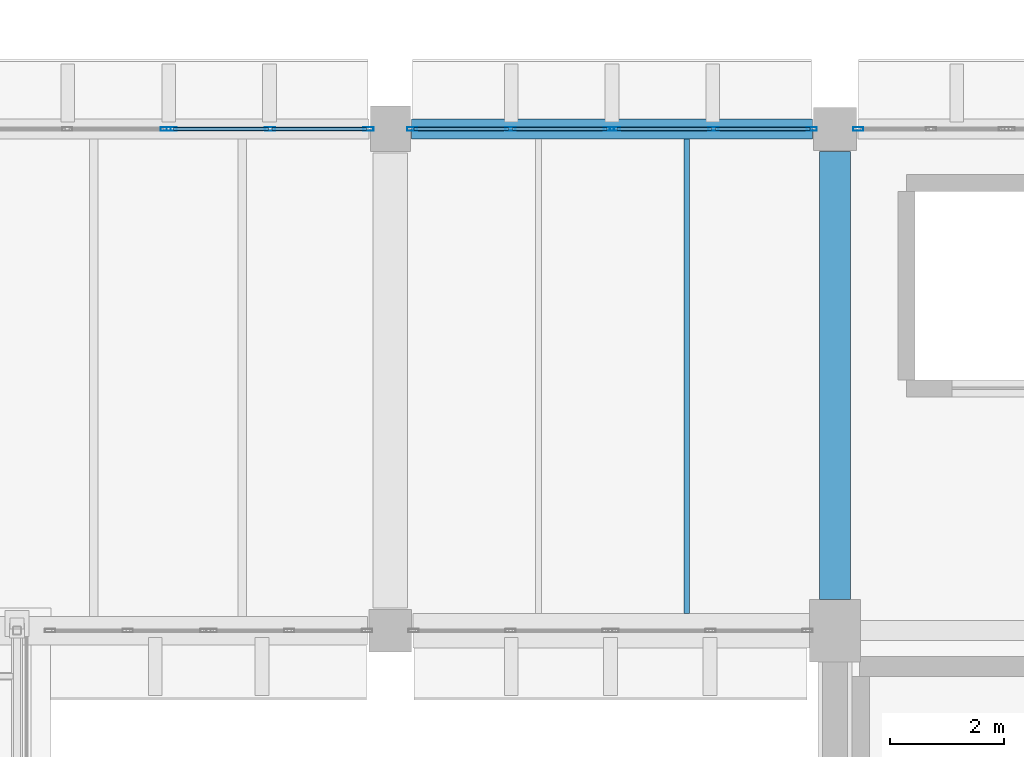
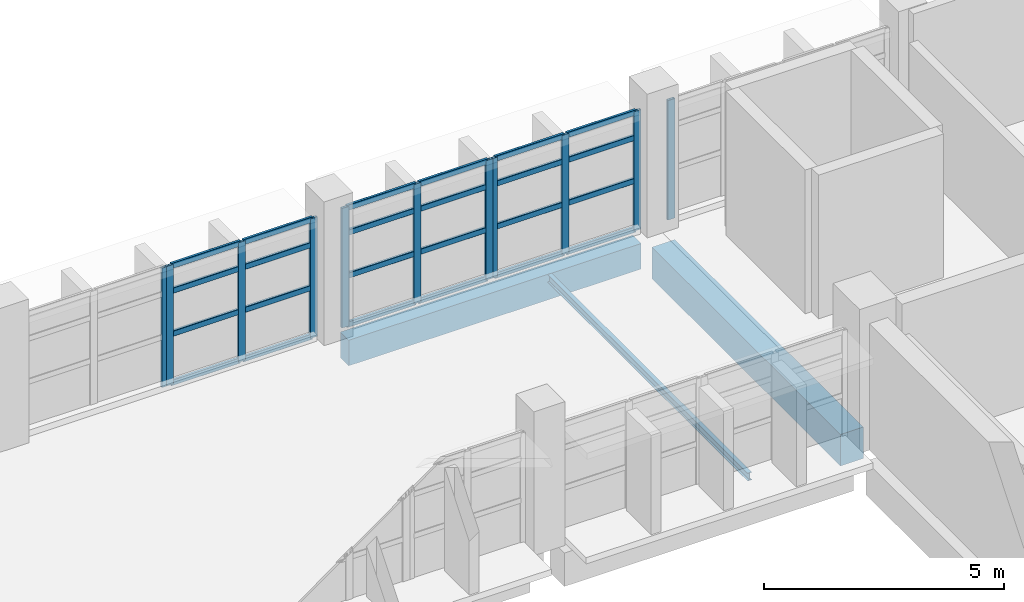
# One storey, part 32 of 80: 35 members, 3 beams, 5 elements without a shape of their own.
"""IFC4 building model written with IfcOpenShell, lengths in metres."""

from ifc_helpers import new_model, si_unit, direction, frame, origin, origin_2d, place, context, subcontext, project, spatial, rectangle, hollow_rectangle, i_section, extrude, material, material_profile, profile_set, type_object, element, aggregate, save


model = new_model("IFC4")

# Units and contexts
model_context = context("Model", 3, precision=1e-05, world=origin(), true_north=direction((0.0, 1.0)))
body_context = subcontext(model_context, "Body", "Model", "MODEL_VIEW")
ifc_project = project(units=[si_unit("LENGTHUNIT", "METRE"), si_unit("AREAUNIT", "SQUARE_METRE"), si_unit("VOLUMEUNIT", "CUBIC_METRE"), si_unit("PLANEANGLEUNIT", "RADIAN"), si_unit("MASSUNIT", "GRAM", prefix="KILO")], contexts=[model_context])

# Site, building, storey
site_placement = place(None, origin())
site = spatial("IfcSite", under=ifc_project, at=site_placement, CompositionType="ELEMENT")
building_placement = place(site_placement, origin())
building = spatial("IfcBuilding", under=site, at=building_placement, Name="Varnakota Cinema and Media Centre", CompositionType="ELEMENT")
storey_placement = place(building_placement, frame((0.0, 0.0, 4.5)))
storey = spatial("IfcBuildingStorey", under=building, at=storey_placement, Name="L01", CompositionType="ELEMENT", Elevation=4.5)

# Beams
ifc_material_1 = material(Name="Concrete M35", Category="concrete")
ifc_material_profile_1 = material_profile(ifc_material_1, rectangle(XDim=0.550048828125, YDim=0.800048828125, at=origin_2d()), Name="RCB 550x800")
ifc_profile_set_1 = profile_set([ifc_material_profile_1], Name="Concrete M35")
beam_type_1 = type_object("IfcBeamType", Name="BM-RC-550x800", PredefinedType="BEAM", material=ifc_profile_set_1)
beam_1_placement = place(storey_placement, frame((75.0, 35.75, -0.64990234375), z_axis=(0.0, 1.0, 0.0), x_axis=(-1.0, 0.0, 0.0)))
element("IfcBeam", 1, at=beam_1_placement, inside=storey, type_object=beam_type_1, Name="L01 girder K/5-6", PredefinedType="BEAM", context=body_context, shape_type="SweptSolid", body=[
    extrude(rectangle(XDim=0.550048828125, YDim=0.800048828125, at=origin_2d()), origin(), (0.0, 0.0, 1.0), 7.85009765625),
])
ifc_material_2 = material(Name="Concrete M40", Category="concrete")
ifc_material_profile_2 = material_profile(ifc_material_2, rectangle(XDim=0.35009765625, YDim=0.64990234375, at=origin_2d()), Name="RCB 350x650")
ifc_profile_set_2 = profile_set([ifc_material_profile_2], Name="Concrete M40")
beam_type_2 = type_object("IfcBeamType", Name="BM-SP-350x650", PredefinedType="SPANDREL", material=ifc_profile_set_2)
beam_2_placement = place(storey_placement, frame((67.574951171875, 44.0, -0.574951171875), z_axis=(1.0, 0.0, 0.0), x_axis=(0.0, 1.0, 0.0)))
element("IfcBeam", 2, at=beam_2_placement, inside=storey, type_object=beam_type_2, Name="L01 girder J-K/6", PredefinedType="SPANDREL", context=body_context, shape_type="SweptSolid", body=[
    extrude(rectangle(XDim=0.35009765625, YDim=0.64990234375, at=origin_2d()), origin(), (0.0, 0.0, 1.0), 7.025146484375),
])
ifc_material_3 = material(Name="Structural steel Grade 350 (E350)", Category="steel")
ifc_material_profile_3 = material_profile(ifc_material_3, i_section(OverallWidth=0.10009765625, OverallDepth=0.199951171875, WebThickness=0.005615234375, FlangeThickness=0.0107421875, FilletRadius=0.010986328125, at=origin_2d()), Name="ISMB 200")
ifc_profile_set_3 = profile_set([ifc_material_profile_3], Name="Structural steel Grade 350 (E350)")
beam_type_3 = type_object("IfcBeamType", Name="BM-ST-ISMB200", PredefinedType="JOIST", material=ifc_profile_set_3)
beam_3_placement = place(storey_placement, frame((72.39990234375, 35.5, -0.35009765625), z_axis=(0.0, 1.0, 0.0), x_axis=(-1.0, 0.0, 0.0)))
element("IfcBeam", 3, at=beam_3_placement, inside=storey, type_object=beam_type_3, Name="L01 steel joist J-K/5-6 #2", PredefinedType="JOIST", context=body_context, shape_type="SweptSolid", body=[
    extrude(i_section(OverallWidth=0.10009765625, OverallDepth=0.199951171875, WebThickness=0.005615234375, FlangeThickness=0.0107421875, FilletRadius=0.010986328125, at=origin_2d()), origin(), (0.0, 0.0, 1.0), 8.324951171875),
])

# Curtain wall, member
ifc_material_4 = material(Name="Thermally broken anodised aluminium AW-6063", Category="aluminium")
curtain_wall_type_1 = type_object("IfcCurtainWallType", Name="CW-STD-262x304", PredefinedType="USERDEFINED", material=ifc_material_4)
curtain_wall_1_placement = place(storey_placement, origin())
curtain_wall_1 = element("IfcCurtainWall", 4, at=curtain_wall_1_placement, inside=storey, type_object=curtain_wall_type_1, Name="L01 curtain wall CW-L01-V1-N-01-1", ObjectType="UNITISED CURTAIN WALL", PredefinedType="USERDEFINED")
ifc_material_5 = material(Name="Thermally broken anodised aluminium AW-6063", Category="aluminium")
ifc_material_profile_4 = material_profile(ifc_material_5, hollow_rectangle(XDim=0.06494140625, YDim=0.179931640625, WallThickness=0.00390625, InnerFilletRadius=0.00390625, OuterFilletRadius=0.008056640625, at=origin_2d()), Name="AL-MULLION 180x65x4")
ifc_profile_set_4 = profile_set([ifc_material_profile_4], Name="Thermally broken anodised aluminium AW-6063")
member_type_1 = type_object("IfcMemberType", Name="CWM-AL-180", PredefinedType="MULLION", material=ifc_profile_set_4)
member_1_placement = place(storey_placement, frame((75.407470703125, 44.0, 0.0), z_axis=(0.0, 0.0, 1.0), x_axis=(0.0, 1.0, 0.0)))
member_1 = element("IfcMember", 5, at=member_1_placement, type_object=member_type_1, Name="CW17 mullion 1", PredefinedType="MULLION", context=body_context, shape_type="SweptSolid", body=[
    extrude(hollow_rectangle(XDim=0.06494140625, YDim=0.179931640625, WallThickness=0.00390625, InnerFilletRadius=0.00390625, OuterFilletRadius=0.008056640625, at=origin_2d()), origin(), (0.0, 0.0, 1.0), 3.034912109375),
])
aggregate(curtain_wall_1, [member_1])

ifc_material_6 = material(Name="Thermally broken anodised aluminium AW-6063", Category="aluminium")
curtain_wall_type_2 = type_object("IfcCurtainWallType", Name="CW-STD-352x304", PredefinedType="USERDEFINED", material=ifc_material_6)
curtain_wall_2_placement = place(storey_placement, origin())
curtain_wall_2 = element("IfcCurtainWall", 6, at=curtain_wall_2_placement, inside=storey, type_object=curtain_wall_type_2, Name="L01 curtain wall CW-L01-LINK-N-03-1", ObjectType="UNITISED CURTAIN WALL", PredefinedType="USERDEFINED")
member_2_placement = place(storey_placement, frame((63.260009765625, 44.0, 0.0), z_axis=(0.0, 0.0, 1.0), x_axis=(0.0, 1.0, 0.0)))
member_2 = element("IfcMember", 7, at=member_2_placement, type_object=member_type_1, Name="CW19 mullion 3", PredefinedType="MULLION", context=body_context, shape_type="SweptSolid", body=[
    extrude(hollow_rectangle(XDim=0.06494140625, YDim=0.179931640625, WallThickness=0.00390625, InnerFilletRadius=0.00390625, OuterFilletRadius=0.008056640625, at=origin_2d()), origin(), (0.0, 0.0, 1.0), 3.034912109375),
])
aggregate(curtain_wall_2, [member_2])

# Curtain wall, members
curtain_wall_3_placement = place(storey_placement, origin())
curtain_wall_3 = element("IfcCurtainWall", 8, at=curtain_wall_3_placement, inside=storey, type_object=curtain_wall_type_2, Name="L01 curtain wall CW-L01-LINK-N-03-2", ObjectType="UNITISED CURTAIN WALL", PredefinedType="USERDEFINED")
member_3_placement = place(storey_placement, frame((63.364990234375, 44.0, 0.0), z_axis=(0.0, 0.0, 1.0), x_axis=(0.0, 1.0, 0.0)))
member_3 = element("IfcMember", 9, at=member_3_placement, type_object=member_type_1, Name="CW19 mullion 1", PredefinedType="MULLION", context=body_context, shape_type="SweptSolid", body=[
    extrude(hollow_rectangle(XDim=0.06494140625, YDim=0.179931640625, WallThickness=0.00390625, InnerFilletRadius=0.00390625, OuterFilletRadius=0.008056640625, at=origin_2d()), origin(), (0.0, 0.0, 1.0), 3.034912109375),
])
member_4_placement = place(storey_placement, frame((65.09130859375, 44.0, 0.0), z_axis=(0.0, 0.0, 1.0), x_axis=(0.0, 1.0, 0.0)))
member_4 = element("IfcMember", 10, at=member_4_placement, type_object=member_type_1, Name="CW19 mullion 2", PredefinedType="MULLION", context=body_context, shape_type="SweptSolid", body=[
    extrude(hollow_rectangle(XDim=0.06494140625, YDim=0.179931640625, WallThickness=0.00390625, InnerFilletRadius=0.00390625, OuterFilletRadius=0.008056640625, at=origin_2d()), origin(), (0.0, 0.0, 1.0), 3.034912109375),
])
member_5_placement = place(storey_placement, frame((66.8173828125, 44.0, 0.0), z_axis=(0.0, 0.0, 1.0), x_axis=(0.0, 1.0, 0.0)))
member_5 = element("IfcMember", 11, at=member_5_placement, type_object=member_type_1, Name="CW19 mullion 3", PredefinedType="MULLION", context=body_context, shape_type="SweptSolid", body=[
    extrude(hollow_rectangle(XDim=0.06494140625, YDim=0.179931640625, WallThickness=0.00390625, InnerFilletRadius=0.00390625, OuterFilletRadius=0.008056640625, at=origin_2d()), origin(), (0.0, 0.0, 1.0), 3.034912109375),
])

curtain_wall_4_placement = place(storey_placement, origin())
curtain_wall_4 = element("IfcCurtainWall", 12, at=curtain_wall_4_placement, inside=storey, type_object=curtain_wall_type_2, Name="L01 curtain wall CW-L01-LINK-N-04-1", ObjectType="UNITISED CURTAIN WALL", PredefinedType="USERDEFINED")
member_6_placement = place(storey_placement, frame((67.58251953125, 44.0, 0.0), z_axis=(0.0, 0.0, 1.0), x_axis=(0.0, 1.0, 0.0)))
member_6 = element("IfcMember", 13, at=member_6_placement, type_object=member_type_1, Name="CW19 mullion 1", PredefinedType="MULLION", context=body_context, shape_type="SweptSolid", body=[
    extrude(hollow_rectangle(XDim=0.06494140625, YDim=0.179931640625, WallThickness=0.00390625, InnerFilletRadius=0.00390625, OuterFilletRadius=0.008056640625, at=origin_2d()), origin(), (0.0, 0.0, 1.0), 3.034912109375),
])
member_7_placement = place(storey_placement, frame((69.308837890625, 44.0, 0.0), z_axis=(0.0, 0.0, 1.0), x_axis=(0.0, 1.0, 0.0)))
member_7 = element("IfcMember", 14, at=member_7_placement, type_object=member_type_1, Name="CW19 mullion 2", PredefinedType="MULLION", context=body_context, shape_type="SweptSolid", body=[
    extrude(hollow_rectangle(XDim=0.06494140625, YDim=0.179931640625, WallThickness=0.00390625, InnerFilletRadius=0.00390625, OuterFilletRadius=0.008056640625, at=origin_2d()), origin(), (0.0, 0.0, 1.0), 3.034912109375),
])
member_8_placement = place(storey_placement, frame((71.034912109375, 44.0, 0.0), z_axis=(0.0, 0.0, 1.0), x_axis=(0.0, 1.0, 0.0)))
member_8 = element("IfcMember", 15, at=member_8_placement, type_object=member_type_1, Name="CW19 mullion 3", PredefinedType="MULLION", context=body_context, shape_type="SweptSolid", body=[
    extrude(hollow_rectangle(XDim=0.06494140625, YDim=0.179931640625, WallThickness=0.00390625, InnerFilletRadius=0.00390625, OuterFilletRadius=0.008056640625, at=origin_2d()), origin(), (0.0, 0.0, 1.0), 3.034912109375),
])

curtain_wall_5_placement = place(storey_placement, origin())
curtain_wall_5 = element("IfcCurtainWall", 16, at=curtain_wall_5_placement, inside=storey, type_object=curtain_wall_type_2, Name="L01 curtain wall CW-L01-LINK-N-04-2", ObjectType="UNITISED CURTAIN WALL", PredefinedType="USERDEFINED")
member_9_placement = place(storey_placement, frame((71.139892578125, 44.0, 0.0), z_axis=(0.0, 0.0, 1.0), x_axis=(0.0, 1.0, 0.0)))
member_9 = element("IfcMember", 17, at=member_9_placement, type_object=member_type_1, Name="CW19 mullion 1", PredefinedType="MULLION", context=body_context, shape_type="SweptSolid", body=[
    extrude(hollow_rectangle(XDim=0.06494140625, YDim=0.179931640625, WallThickness=0.00390625, InnerFilletRadius=0.00390625, OuterFilletRadius=0.008056640625, at=origin_2d()), origin(), (0.0, 0.0, 1.0), 3.034912109375),
])
member_10_placement = place(storey_placement, frame((72.8662109375, 44.0, 0.0), z_axis=(0.0, 0.0, 1.0), x_axis=(0.0, 1.0, 0.0)))
member_10 = element("IfcMember", 18, at=member_10_placement, type_object=member_type_1, Name="CW19 mullion 2", PredefinedType="MULLION", context=body_context, shape_type="SweptSolid", body=[
    extrude(hollow_rectangle(XDim=0.06494140625, YDim=0.179931640625, WallThickness=0.00390625, InnerFilletRadius=0.00390625, OuterFilletRadius=0.008056640625, at=origin_2d()), origin(), (0.0, 0.0, 1.0), 3.034912109375),
])
member_11_placement = place(storey_placement, frame((74.592529296875, 44.0, 0.0), z_axis=(0.0, 0.0, 1.0), x_axis=(0.0, 1.0, 0.0)))
member_11 = element("IfcMember", 19, at=member_11_placement, type_object=member_type_1, Name="CW19 mullion 3", PredefinedType="MULLION", context=body_context, shape_type="SweptSolid", body=[
    extrude(hollow_rectangle(XDim=0.06494140625, YDim=0.179931640625, WallThickness=0.00390625, InnerFilletRadius=0.00390625, OuterFilletRadius=0.008056640625, at=origin_2d()), origin(), (0.0, 0.0, 1.0), 3.034912109375),
])

# Member
ifc_material_7 = material(Name="Thermally broken anodised aluminium AW-6063", Category="aluminium")
ifc_material_profile_5 = material_profile(ifc_material_7, hollow_rectangle(XDim=0.06494140625, YDim=0.139892578125, WallThickness=0.00390625, InnerFilletRadius=0.00390625, OuterFilletRadius=0.008056640625, at=origin_2d()), Name="AL-TRANSOM 140x65x4")
ifc_profile_set_5 = profile_set([ifc_material_profile_5], Name="Thermally broken anodised aluminium AW-6063")
member_type_2 = type_object("IfcMemberType", Name="CWT-AL-140", PredefinedType="USERDEFINED", material=ifc_profile_set_5)
member_12_placement = place(storey_placement, frame((63.3974609375, 44.0, 0.032470703125), z_axis=(1.0, 0.0, 0.0), x_axis=(0.0, 1.0, 0.0)))
member_12 = element("IfcMember", 20, at=member_12_placement, type_object=member_type_2, Name="CW19 transom 1.1", ObjectType="TRANSOM", PredefinedType="USERDEFINED", context=body_context, shape_type="SweptSolid", body=[
    extrude(hollow_rectangle(XDim=0.06494140625, YDim=0.139892578125, WallThickness=0.00390625, InnerFilletRadius=0.00390625, OuterFilletRadius=0.008056640625, at=origin_2d()), origin(), (0.0, 0.0, 1.0), 1.661376953125),
])

member_13_placement = place(storey_placement, frame((63.3974609375, 44.0, 1.274658203125), z_axis=(1.0, 0.0, 0.0), x_axis=(0.0, 1.0, 0.0)))
member_13 = element("IfcMember", 21, at=member_13_placement, type_object=member_type_2, Name="CW19 transom 1.2", ObjectType="TRANSOM", PredefinedType="USERDEFINED", context=body_context, shape_type="SweptSolid", body=[
    extrude(hollow_rectangle(XDim=0.06494140625, YDim=0.139892578125, WallThickness=0.00390625, InnerFilletRadius=0.00390625, OuterFilletRadius=0.008056640625, at=origin_2d()), origin(), (0.0, 0.0, 1.0), 1.661376953125),
])

member_14_placement = place(storey_placement, frame((63.3974609375, 44.0, 2.3671875), z_axis=(1.0, 0.0, 0.0), x_axis=(0.0, 1.0, 0.0)))
member_14 = element("IfcMember", 22, at=member_14_placement, type_object=member_type_2, Name="CW19 transom 1.3", ObjectType="TRANSOM", PredefinedType="USERDEFINED", context=body_context, shape_type="SweptSolid", body=[
    extrude(hollow_rectangle(XDim=0.06494140625, YDim=0.139892578125, WallThickness=0.00390625, InnerFilletRadius=0.00390625, OuterFilletRadius=0.008056640625, at=origin_2d()), origin(), (0.0, 0.0, 1.0), 1.661376953125),
])

member_15_placement = place(storey_placement, frame((63.3974609375, 44.0, 3.00244140625), z_axis=(1.0, 0.0, 0.0), x_axis=(0.0, 1.0, 0.0)))
member_15 = element("IfcMember", 23, at=member_15_placement, type_object=member_type_2, Name="CW19 transom 1.4", ObjectType="TRANSOM", PredefinedType="USERDEFINED", context=body_context, shape_type="SweptSolid", body=[
    extrude(hollow_rectangle(XDim=0.06494140625, YDim=0.139892578125, WallThickness=0.00390625, InnerFilletRadius=0.00390625, OuterFilletRadius=0.008056640625, at=origin_2d()), origin(), (0.0, 0.0, 1.0), 1.661376953125),
])

member_16_placement = place(storey_placement, frame((65.123779296875, 44.0, 0.032470703125), z_axis=(1.0, 0.0, 0.0), x_axis=(0.0, 1.0, 0.0)))
member_16 = element("IfcMember", 24, at=member_16_placement, type_object=member_type_2, Name="CW19 transom 2.1", ObjectType="TRANSOM", PredefinedType="USERDEFINED", context=body_context, shape_type="SweptSolid", body=[
    extrude(hollow_rectangle(XDim=0.06494140625, YDim=0.139892578125, WallThickness=0.00390625, InnerFilletRadius=0.00390625, OuterFilletRadius=0.008056640625, at=origin_2d()), origin(), (0.0, 0.0, 1.0), 1.6611328125),
])

member_17_placement = place(storey_placement, frame((65.123779296875, 44.0, 1.274658203125), z_axis=(1.0, 0.0, 0.0), x_axis=(0.0, 1.0, 0.0)))
member_17 = element("IfcMember", 25, at=member_17_placement, type_object=member_type_2, Name="CW19 transom 2.2", ObjectType="TRANSOM", PredefinedType="USERDEFINED", context=body_context, shape_type="SweptSolid", body=[
    extrude(hollow_rectangle(XDim=0.06494140625, YDim=0.139892578125, WallThickness=0.00390625, InnerFilletRadius=0.00390625, OuterFilletRadius=0.008056640625, at=origin_2d()), origin(), (0.0, 0.0, 1.0), 1.6611328125),
])

member_18_placement = place(storey_placement, frame((65.123779296875, 44.0, 2.3671875), z_axis=(1.0, 0.0, 0.0), x_axis=(0.0, 1.0, 0.0)))
member_18 = element("IfcMember", 26, at=member_18_placement, type_object=member_type_2, Name="CW19 transom 2.3", ObjectType="TRANSOM", PredefinedType="USERDEFINED", context=body_context, shape_type="SweptSolid", body=[
    extrude(hollow_rectangle(XDim=0.06494140625, YDim=0.139892578125, WallThickness=0.00390625, InnerFilletRadius=0.00390625, OuterFilletRadius=0.008056640625, at=origin_2d()), origin(), (0.0, 0.0, 1.0), 1.6611328125),
])

member_19_placement = place(storey_placement, frame((65.123779296875, 44.0, 3.00244140625), z_axis=(1.0, 0.0, 0.0), x_axis=(0.0, 1.0, 0.0)))
member_19 = element("IfcMember", 27, at=member_19_placement, type_object=member_type_2, Name="CW19 transom 2.4", ObjectType="TRANSOM", PredefinedType="USERDEFINED", context=body_context, shape_type="SweptSolid", body=[
    extrude(hollow_rectangle(XDim=0.06494140625, YDim=0.139892578125, WallThickness=0.00390625, InnerFilletRadius=0.00390625, OuterFilletRadius=0.008056640625, at=origin_2d()), origin(), (0.0, 0.0, 1.0), 1.6611328125),
])

aggregate(curtain_wall_3, [member_3, member_4, member_5, member_12, member_13, member_14, member_15, member_16, member_17, member_18, member_19])

member_20_placement = place(storey_placement, frame((67.614990234375, 44.0, 0.032470703125), z_axis=(1.0, 0.0, 0.0), x_axis=(0.0, 1.0, 0.0)))
member_20 = element("IfcMember", 28, at=member_20_placement, type_object=member_type_2, Name="CW19 transom 1.1", ObjectType="TRANSOM", PredefinedType="USERDEFINED", context=body_context, shape_type="SweptSolid", body=[
    extrude(hollow_rectangle(XDim=0.06494140625, YDim=0.139892578125, WallThickness=0.00390625, InnerFilletRadius=0.00390625, OuterFilletRadius=0.008056640625, at=origin_2d()), origin(), (0.0, 0.0, 1.0), 1.661376953125),
])

member_21_placement = place(storey_placement, frame((67.614990234375, 44.0, 1.274658203125), z_axis=(1.0, 0.0, 0.0), x_axis=(0.0, 1.0, 0.0)))
member_21 = element("IfcMember", 29, at=member_21_placement, type_object=member_type_2, Name="CW19 transom 1.2", ObjectType="TRANSOM", PredefinedType="USERDEFINED", context=body_context, shape_type="SweptSolid", body=[
    extrude(hollow_rectangle(XDim=0.06494140625, YDim=0.139892578125, WallThickness=0.00390625, InnerFilletRadius=0.00390625, OuterFilletRadius=0.008056640625, at=origin_2d()), origin(), (0.0, 0.0, 1.0), 1.661376953125),
])

member_22_placement = place(storey_placement, frame((67.614990234375, 44.0, 2.3671875), z_axis=(1.0, 0.0, 0.0), x_axis=(0.0, 1.0, 0.0)))
member_22 = element("IfcMember", 30, at=member_22_placement, type_object=member_type_2, Name="CW19 transom 1.3", ObjectType="TRANSOM", PredefinedType="USERDEFINED", context=body_context, shape_type="SweptSolid", body=[
    extrude(hollow_rectangle(XDim=0.06494140625, YDim=0.139892578125, WallThickness=0.00390625, InnerFilletRadius=0.00390625, OuterFilletRadius=0.008056640625, at=origin_2d()), origin(), (0.0, 0.0, 1.0), 1.661376953125),
])

member_23_placement = place(storey_placement, frame((67.614990234375, 44.0, 3.00244140625), z_axis=(1.0, 0.0, 0.0), x_axis=(0.0, 1.0, 0.0)))
member_23 = element("IfcMember", 31, at=member_23_placement, type_object=member_type_2, Name="CW19 transom 1.4", ObjectType="TRANSOM", PredefinedType="USERDEFINED", context=body_context, shape_type="SweptSolid", body=[
    extrude(hollow_rectangle(XDim=0.06494140625, YDim=0.139892578125, WallThickness=0.00390625, InnerFilletRadius=0.00390625, OuterFilletRadius=0.008056640625, at=origin_2d()), origin(), (0.0, 0.0, 1.0), 1.661376953125),
])

member_24_placement = place(storey_placement, frame((69.34130859375, 44.0, 0.032470703125), z_axis=(1.0, 0.0, 0.0), x_axis=(0.0, 1.0, 0.0)))
member_24 = element("IfcMember", 32, at=member_24_placement, type_object=member_type_2, Name="CW19 transom 2.1", ObjectType="TRANSOM", PredefinedType="USERDEFINED", context=body_context, shape_type="SweptSolid", body=[
    extrude(hollow_rectangle(XDim=0.06494140625, YDim=0.139892578125, WallThickness=0.00390625, InnerFilletRadius=0.00390625, OuterFilletRadius=0.008056640625, at=origin_2d()), origin(), (0.0, 0.0, 1.0), 1.6611328125),
])

member_25_placement = place(storey_placement, frame((69.34130859375, 44.0, 1.274658203125), z_axis=(1.0, 0.0, 0.0), x_axis=(0.0, 1.0, 0.0)))
member_25 = element("IfcMember", 33, at=member_25_placement, type_object=member_type_2, Name="CW19 transom 2.2", ObjectType="TRANSOM", PredefinedType="USERDEFINED", context=body_context, shape_type="SweptSolid", body=[
    extrude(hollow_rectangle(XDim=0.06494140625, YDim=0.139892578125, WallThickness=0.00390625, InnerFilletRadius=0.00390625, OuterFilletRadius=0.008056640625, at=origin_2d()), origin(), (0.0, 0.0, 1.0), 1.6611328125),
])

member_26_placement = place(storey_placement, frame((69.34130859375, 44.0, 2.3671875), z_axis=(1.0, 0.0, 0.0), x_axis=(0.0, 1.0, 0.0)))
member_26 = element("IfcMember", 34, at=member_26_placement, type_object=member_type_2, Name="CW19 transom 2.3", ObjectType="TRANSOM", PredefinedType="USERDEFINED", context=body_context, shape_type="SweptSolid", body=[
    extrude(hollow_rectangle(XDim=0.06494140625, YDim=0.139892578125, WallThickness=0.00390625, InnerFilletRadius=0.00390625, OuterFilletRadius=0.008056640625, at=origin_2d()), origin(), (0.0, 0.0, 1.0), 1.6611328125),
])

member_27_placement = place(storey_placement, frame((69.34130859375, 44.0, 3.00244140625), z_axis=(1.0, 0.0, 0.0), x_axis=(0.0, 1.0, 0.0)))
member_27 = element("IfcMember", 35, at=member_27_placement, type_object=member_type_2, Name="CW19 transom 2.4", ObjectType="TRANSOM", PredefinedType="USERDEFINED", context=body_context, shape_type="SweptSolid", body=[
    extrude(hollow_rectangle(XDim=0.06494140625, YDim=0.139892578125, WallThickness=0.00390625, InnerFilletRadius=0.00390625, OuterFilletRadius=0.008056640625, at=origin_2d()), origin(), (0.0, 0.0, 1.0), 1.6611328125),
])

aggregate(curtain_wall_4, [member_6, member_7, member_8, member_20, member_21, member_22, member_23, member_24, member_25, member_26, member_27])

member_28_placement = place(storey_placement, frame((71.172607421875, 44.0, 0.032470703125), z_axis=(1.0, 0.0, 0.0), x_axis=(0.0, 1.0, 0.0)))
member_28 = element("IfcMember", 36, at=member_28_placement, type_object=member_type_2, Name="CW19 transom 1.1", ObjectType="TRANSOM", PredefinedType="USERDEFINED", context=body_context, shape_type="SweptSolid", body=[
    extrude(hollow_rectangle(XDim=0.06494140625, YDim=0.139892578125, WallThickness=0.00390625, InnerFilletRadius=0.00390625, OuterFilletRadius=0.008056640625, at=origin_2d()), origin(), (0.0, 0.0, 1.0), 1.6611328125),
])

member_29_placement = place(storey_placement, frame((71.172607421875, 44.0, 1.274658203125), z_axis=(1.0, 0.0, 0.0), x_axis=(0.0, 1.0, 0.0)))
member_29 = element("IfcMember", 37, at=member_29_placement, type_object=member_type_2, Name="CW19 transom 1.2", ObjectType="TRANSOM", PredefinedType="USERDEFINED", context=body_context, shape_type="SweptSolid", body=[
    extrude(hollow_rectangle(XDim=0.06494140625, YDim=0.139892578125, WallThickness=0.00390625, InnerFilletRadius=0.00390625, OuterFilletRadius=0.008056640625, at=origin_2d()), origin(), (0.0, 0.0, 1.0), 1.6611328125),
])

member_30_placement = place(storey_placement, frame((71.172607421875, 44.0, 2.3671875), z_axis=(1.0, 0.0, 0.0), x_axis=(0.0, 1.0, 0.0)))
member_30 = element("IfcMember", 38, at=member_30_placement, type_object=member_type_2, Name="CW19 transom 1.3", ObjectType="TRANSOM", PredefinedType="USERDEFINED", context=body_context, shape_type="SweptSolid", body=[
    extrude(hollow_rectangle(XDim=0.06494140625, YDim=0.139892578125, WallThickness=0.00390625, InnerFilletRadius=0.00390625, OuterFilletRadius=0.008056640625, at=origin_2d()), origin(), (0.0, 0.0, 1.0), 1.6611328125),
])

member_31_placement = place(storey_placement, frame((71.172607421875, 44.0, 3.00244140625), z_axis=(1.0, 0.0, 0.0), x_axis=(0.0, 1.0, 0.0)))
member_31 = element("IfcMember", 39, at=member_31_placement, type_object=member_type_2, Name="CW19 transom 1.4", ObjectType="TRANSOM", PredefinedType="USERDEFINED", context=body_context, shape_type="SweptSolid", body=[
    extrude(hollow_rectangle(XDim=0.06494140625, YDim=0.139892578125, WallThickness=0.00390625, InnerFilletRadius=0.00390625, OuterFilletRadius=0.008056640625, at=origin_2d()), origin(), (0.0, 0.0, 1.0), 1.6611328125),
])

member_32_placement = place(storey_placement, frame((72.898681640625, 44.0, 0.032470703125), z_axis=(1.0, 0.0, 0.0), x_axis=(0.0, 1.0, 0.0)))
member_32 = element("IfcMember", 40, at=member_32_placement, type_object=member_type_2, Name="CW19 transom 2.1", ObjectType="TRANSOM", PredefinedType="USERDEFINED", context=body_context, shape_type="SweptSolid", body=[
    extrude(hollow_rectangle(XDim=0.06494140625, YDim=0.139892578125, WallThickness=0.00390625, InnerFilletRadius=0.00390625, OuterFilletRadius=0.008056640625, at=origin_2d()), origin(), (0.0, 0.0, 1.0), 1.661376953125),
])

member_33_placement = place(storey_placement, frame((72.898681640625, 44.0, 1.274658203125), z_axis=(1.0, 0.0, 0.0), x_axis=(0.0, 1.0, 0.0)))
member_33 = element("IfcMember", 41, at=member_33_placement, type_object=member_type_2, Name="CW19 transom 2.2", ObjectType="TRANSOM", PredefinedType="USERDEFINED", context=body_context, shape_type="SweptSolid", body=[
    extrude(hollow_rectangle(XDim=0.06494140625, YDim=0.139892578125, WallThickness=0.00390625, InnerFilletRadius=0.00390625, OuterFilletRadius=0.008056640625, at=origin_2d()), origin(), (0.0, 0.0, 1.0), 1.661376953125),
])

member_34_placement = place(storey_placement, frame((72.898681640625, 44.0, 2.3671875), z_axis=(1.0, 0.0, 0.0), x_axis=(0.0, 1.0, 0.0)))
member_34 = element("IfcMember", 42, at=member_34_placement, type_object=member_type_2, Name="CW19 transom 2.3", ObjectType="TRANSOM", PredefinedType="USERDEFINED", context=body_context, shape_type="SweptSolid", body=[
    extrude(hollow_rectangle(XDim=0.06494140625, YDim=0.139892578125, WallThickness=0.00390625, InnerFilletRadius=0.00390625, OuterFilletRadius=0.008056640625, at=origin_2d()), origin(), (0.0, 0.0, 1.0), 1.661376953125),
])

member_35_placement = place(storey_placement, frame((72.898681640625, 44.0, 3.00244140625), z_axis=(1.0, 0.0, 0.0), x_axis=(0.0, 1.0, 0.0)))
member_35 = element("IfcMember", 43, at=member_35_placement, type_object=member_type_2, Name="CW19 transom 2.4", ObjectType="TRANSOM", PredefinedType="USERDEFINED", context=body_context, shape_type="SweptSolid", body=[
    extrude(hollow_rectangle(XDim=0.06494140625, YDim=0.139892578125, WallThickness=0.00390625, InnerFilletRadius=0.00390625, OuterFilletRadius=0.008056640625, at=origin_2d()), origin(), (0.0, 0.0, 1.0), 1.661376953125),
])

aggregate(curtain_wall_5, [member_9, member_10, member_11, member_28, member_29, member_30, member_31, member_32, member_33, member_34, member_35])

save(model, "model.ifc")
